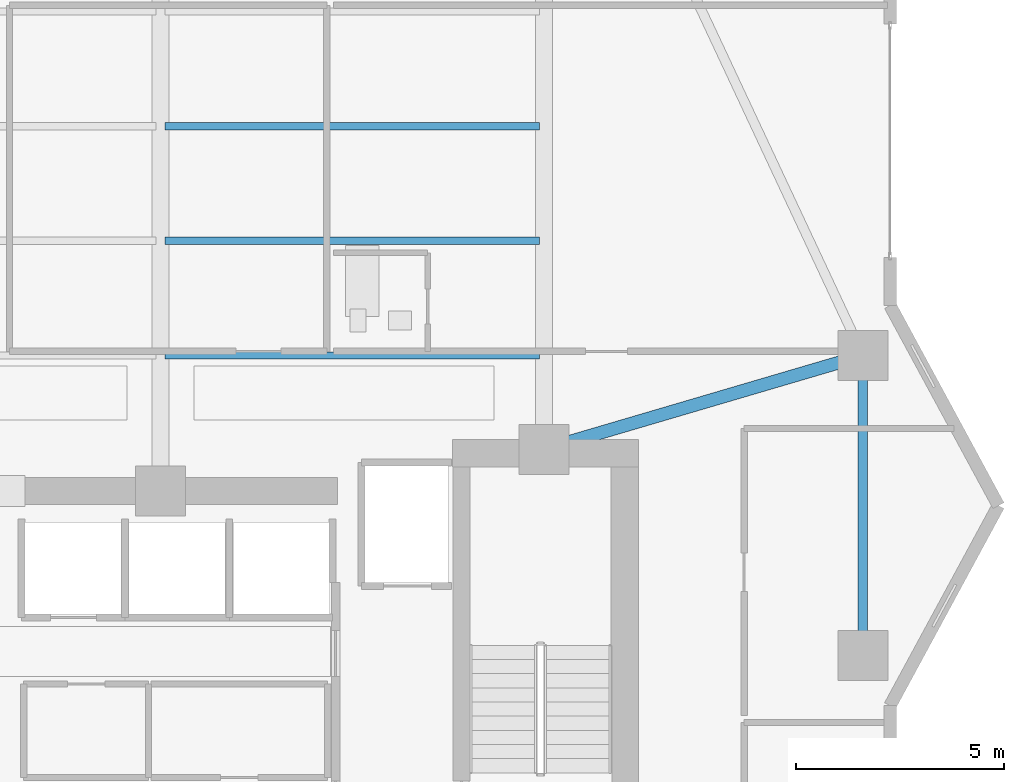
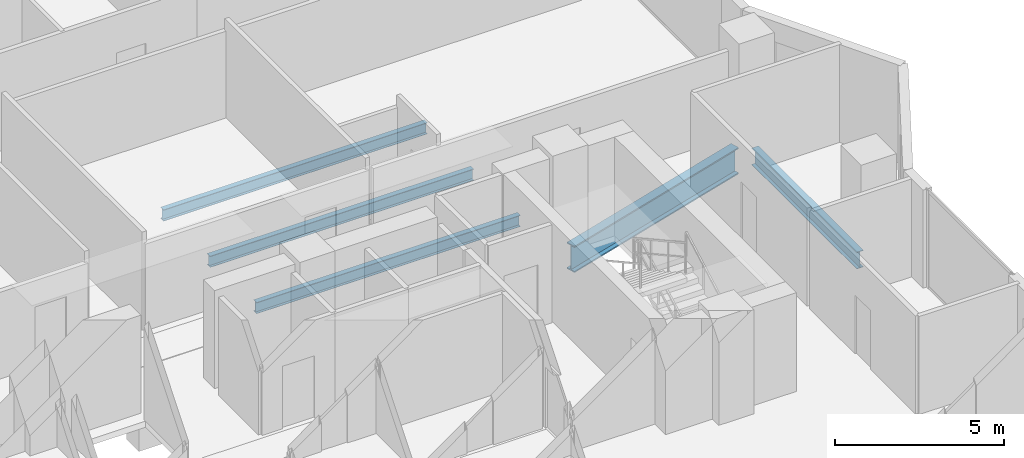
# One storey, part 13 of 32: 5 beams.
"""IFC4 building model written with IfcOpenShell, lengths in metres."""

from ifc_helpers import new_model, si_unit, direction, frame, origin, origin_2d, place, context, subcontext, project, spatial, i_section, extrude, material, material_profile, profile_set, type_object, element, save


model = new_model("IFC4")

# Units and contexts
model_context = context("Model", 3, precision=1e-05, world=origin(), true_north=direction((0.0, 1.0)))
body_context = subcontext(model_context, "Body", "Model", "MODEL_VIEW")
ifc_project = project(units=[si_unit("LENGTHUNIT", "METRE"), si_unit("AREAUNIT", "SQUARE_METRE"), si_unit("VOLUMEUNIT", "CUBIC_METRE"), si_unit("PLANEANGLEUNIT", "RADIAN"), si_unit("MASSUNIT", "GRAM", prefix="KILO")], contexts=[model_context])

# Site, building, storey
site_placement = place(None, origin())
site = spatial("IfcSite", under=ifc_project, at=site_placement, CompositionType="ELEMENT")
building_placement = place(site_placement, origin())
building = spatial("IfcBuilding", under=site, at=building_placement, Name="Zuhayl Quay Hotel", CompositionType="ELEMENT")
storey_placement = place(building_placement, frame((0.0, 0.0, 184.89990234375)))
storey = spatial("IfcBuildingStorey", under=building, at=storey_placement, Name="L46", CompositionType="ELEMENT", Elevation=184.89990234375)

# Beams
ifc_material = material(Name="Steel ASTM A992 Grade 50", Category="steel")
ifc_material_profile_1 = material_profile(ifc_material, i_section(OverallWidth=0.22802734375, OverallDepth=0.60693359375, WebThickness=0.01123046875, FlangeThickness=0.017333984375, at=origin_2d()), Name="W24X76")
ifc_profile_set_1 = profile_set([ifc_material_profile_1], Name="Steel ASTM A992 Grade 50")
beam_type_1 = type_object("IfcBeamType", Name="BM_B3_W24X76", PredefinedType="BEAM", material=ifc_profile_set_1)
beam_1_placement = place(storey_placement, frame((21.449951171875, 9.89990234375, -0.5234375), z_axis=(0.0, 1.0, 0.0), x_axis=(-1.0, 0.0, 0.0)))
element("IfcBeam", 1, at=beam_1_placement, inside=storey, type_object=beam_type_1, Name="L46 Floor Beam RG_L46_05", PredefinedType="BEAM", context=body_context, shape_type="SweptSolid", body=[
    extrude(i_section(OverallWidth=0.22802734375, OverallDepth=0.60693359375, WebThickness=0.01123046875, FlangeThickness=0.017333984375, at=origin_2d()), origin(), (0.0, 0.0, 1.0), 6.2001953125),
])
ifc_material_profile_2 = material_profile(ifc_material, i_section(OverallWidth=0.177978515625, OverallDepth=0.406005859375, WebThickness=0.0078125, FlangeThickness=0.0126953125, at=origin_2d()), Name="W16X40")
ifc_profile_set_2 = profile_set([ifc_material_profile_2], Name="Steel ASTM A992 Grade 50")
beam_type_2 = type_object("IfcBeamType", Name="BM_J2B_W16X40", PredefinedType="JOIST", material=ifc_profile_set_2)
for number, where, z_axis, x_axis, name in (
    (2, (4.7060546875, 16.60009765625, -0.4228515625), (1.0, 0.0, 0.0), (0.0, 1.0, 0.0), "L46 Floor Beam FJ_L46_1_3"),
    (3, (4.7060546875, 19.35009765625, -0.4228515625), (1.0, 0.0, 0.0), (0.0, 1.0, 0.0), "L46 Floor Beam FJ_L46_2_3"),
    (4, (4.7060546875, 22.10009765625, -0.4228515625), (1.0, 0.0, 0.0), (0.0, 1.0, 0.0), "L46 Floor Beam FJ_L46_3_3"),
):
    element("IfcBeam", number, at=place(storey_placement, frame(where, z_axis=z_axis, x_axis=x_axis)), inside=storey, type_object=beam_type_2, Name=name, PredefinedType="JOIST", context=body_context, shape_type="SweptSolid", body=[
        extrude(i_section(OverallWidth=0.177978515625, OverallDepth=0.406005859375, WebThickness=0.0078125, FlangeThickness=0.0126953125, at=origin_2d()), origin(), (0.0, 0.0, 1.0), 8.988037109375),
    ])
ifc_material_profile_3 = material_profile(ifc_material, i_section(OverallWidth=0.31005859375, OverallDepth=0.949951171875, WebThickness=0.0244140625, FlangeThickness=0.0439453125, at=origin_2d()), Name="W36X256")
ifc_profile_set_3 = profile_set([ifc_material_profile_3], Name="Steel ASTM A992 Grade 50")
beam_type_3 = type_object("IfcBeamType", Name="BM_PG1_W36X256", PredefinedType="BEAM", material=ifc_profile_set_3)
beam_2_placement = place(storey_placement, frame((14.231689453125, 14.47705078125, -0.69482421875), z_axis=(0.959364948093, 0.282168205812, 0.0), x_axis=(-0.282168205812, 0.959364948093, 0.0)))
element("IfcBeam", 5, at=beam_2_placement, inside=storey, type_object=beam_type_3, Name="L46 Floor Beam FG_E_L46_2", PredefinedType="BEAM", context=body_context, shape_type="SweptSolid", body=[
    extrude(i_section(OverallWidth=0.31005859375, OverallDepth=0.949951171875, WebThickness=0.0244140625, FlangeThickness=0.0439453125, at=origin_2d()), origin(), (0.0, 0.0, 1.0), 7.02392578125),
])

save(model, "model.ifc")
